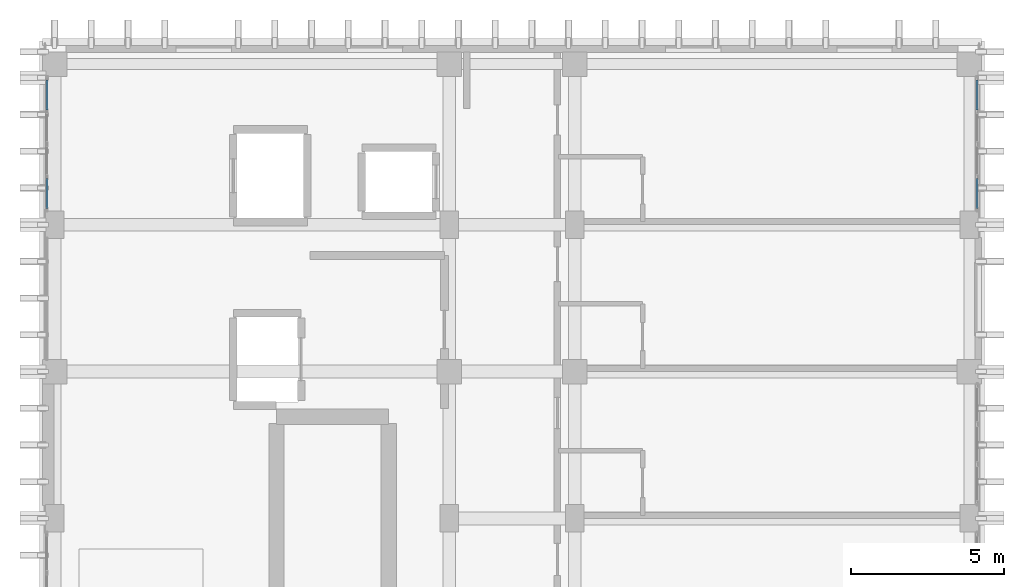
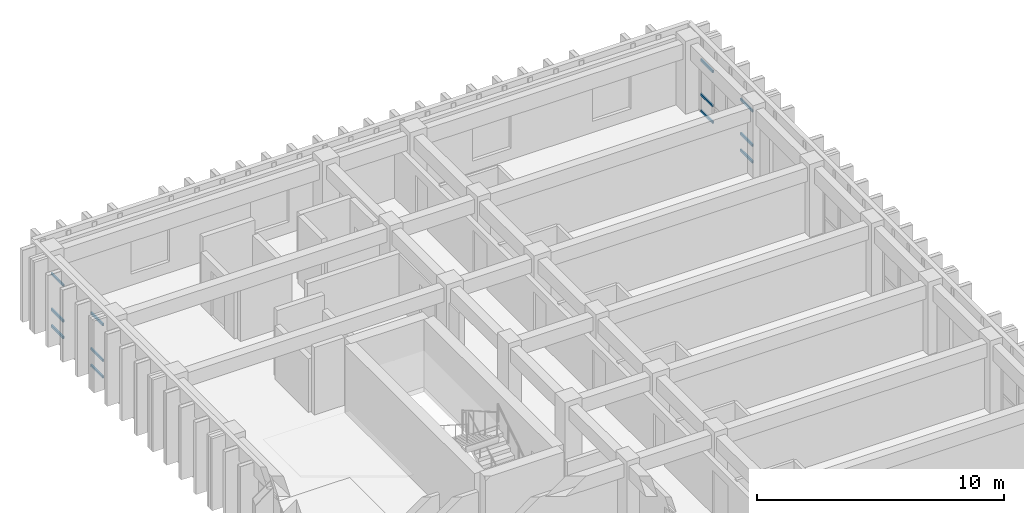
# One storey, part 57 of 82: 12 members, 2 elements without a shape of their own.
"""IFC4 building model written with IfcOpenShell, lengths in metres."""

from ifc_helpers import new_model, si_unit, direction, frame, origin, origin_2d, place, context, subcontext, project, spatial, hollow_rectangle, extrude, material, layer, layer_set, material_profile, profile_set, type_object, element, aggregate, save


model = new_model("IFC4")

# Units and contexts
model_context = context("Model", 3, precision=1e-05, world=origin(), true_north=direction((0.0, 1.0)))
body_context = subcontext(model_context, "Body", "Model", "MODEL_VIEW")
ifc_project = project(units=[si_unit("LENGTHUNIT", "METRE"), si_unit("AREAUNIT", "SQUARE_METRE"), si_unit("VOLUMEUNIT", "CUBIC_METRE"), si_unit("PLANEANGLEUNIT", "RADIAN"), si_unit("MASSUNIT", "GRAM", prefix="KILO")], contexts=[model_context])

# Site, building, storey
site_placement = place(None, origin())
site = spatial("IfcSite", under=ifc_project, at=site_placement, CompositionType="ELEMENT")
building_placement = place(site_placement, origin())
building = spatial("IfcBuilding", under=site, at=building_placement, Name="Nakhvara Creek Congress Hotel", CompositionType="ELEMENT")
storey_placement = place(building_placement, frame((0.0, 0.0, 21.0)))
storey = spatial("IfcBuildingStorey", under=building, at=storey_placement, Name="L04", CompositionType="ELEMENT", Elevation=21.0)

# Curtain wall, members
ifc_material_1 = material(Name="Bronze-anodised aluminium AW-6063-T6 and double-silver low-E glass", Category="aluminium")
ifc_layer = layer(ifc_material_1, 0.199951171875)
ifc_layer_set = layer_set([ifc_layer], Name="Bronze-anodised aluminium AW-6063-T6 and double-silver low-E glass")
curtain_wall_type = type_object("IfcCurtainWallType", Name="CW-HTL-UNIT", PredefinedType="USERDEFINED", material=ifc_layer_set)
curtain_wall_1_placement = place(storey_placement, origin())
curtain_wall_1 = element("IfcCurtainWall", 1, at=curtain_wall_1_placement, inside=storey, type_object=curtain_wall_type, Name="Curtain Wall CW200", ObjectType="UNITISED", PredefinedType="USERDEFINED")
ifc_material_2 = material(Name="Bronze-anodised aluminium AW-6063-T6", Category="aluminium")
ifc_material_profile = material_profile(ifc_material_2, hollow_rectangle(XDim=0.06494140625, YDim=0.1201171875, WallThickness=0.00390625, at=origin_2d()), Name="ALU-TRAN 65x120x4", Category="LoadBearing")
ifc_profile_set = profile_set([ifc_material_profile], Name="Bronze-anodised aluminium AW-6063-T6")
member_type = type_object("IfcMemberType", Name="CW-TRAN-120", PredefinedType="USERDEFINED", material=ifc_profile_set)
member_1_placement = place(storey_placement, frame((179.60009765625, 124.735107421875, 0.032470703125), z_axis=(0.0, -1.0, 0.0), x_axis=(1.0, 0.0, 0.0)))
member_1 = element("IfcMember", 2, at=member_1_placement, type_object=member_type, Name="CW200 transom 1.1", ObjectType="TRANSOM", PredefinedType="USERDEFINED", context=body_context, shape_type="SweptSolid", body=[
    extrude(hollow_rectangle(XDim=0.06494140625, YDim=0.1201171875, WallThickness=0.00390625, at=origin_2d()), origin(), (0.0, 0.0, 1.0), 0.986328125),
])
member_2_placement = place(storey_placement, frame((179.60009765625, 124.735107421875, 0.85009765625), z_axis=(0.0, -1.0, 0.0), x_axis=(1.0, 0.0, 0.0)))
member_2 = element("IfcMember", 3, at=member_2_placement, type_object=member_type, Name="CW200 transom 1.2", ObjectType="TRANSOM", PredefinedType="USERDEFINED", context=body_context, shape_type="SweptSolid", body=[
    extrude(hollow_rectangle(XDim=0.06494140625, YDim=0.1201171875, WallThickness=0.00390625, at=origin_2d()), origin(), (0.0, 0.0, 1.0), 0.986328125),
])
member_3_placement = place(storey_placement, frame((179.60009765625, 124.735107421875, 2.549560546875), z_axis=(0.0, -1.0, 0.0), x_axis=(1.0, 0.0, 0.0)))
member_3 = element("IfcMember", 4, at=member_3_placement, type_object=member_type, Name="CW200 transom 1.3", ObjectType="TRANSOM", PredefinedType="USERDEFINED", context=body_context, shape_type="SweptSolid", body=[
    extrude(hollow_rectangle(XDim=0.06494140625, YDim=0.1201171875, WallThickness=0.00390625, at=origin_2d()), origin(), (0.0, 0.0, 1.0), 0.986328125),
])
member_4_placement = place(storey_placement, frame((179.60009765625, 121.516357421875, 0.032470703125), z_axis=(0.0, -1.0, 0.0), x_axis=(1.0, 0.0, 0.0)))
member_4 = element("IfcMember", 5, at=member_4_placement, type_object=member_type, Name="CW200 transom 4.1", ObjectType="TRANSOM", PredefinedType="USERDEFINED", context=body_context, shape_type="SweptSolid", body=[
    extrude(hollow_rectangle(XDim=0.06494140625, YDim=0.1201171875, WallThickness=0.00390625, at=origin_2d()), origin(), (0.0, 0.0, 1.0), 0.986328125),
])
member_5_placement = place(storey_placement, frame((179.60009765625, 121.516357421875, 0.85009765625), z_axis=(0.0, -1.0, 0.0), x_axis=(1.0, 0.0, 0.0)))
member_5 = element("IfcMember", 6, at=member_5_placement, type_object=member_type, Name="CW200 transom 4.2", ObjectType="TRANSOM", PredefinedType="USERDEFINED", context=body_context, shape_type="SweptSolid", body=[
    extrude(hollow_rectangle(XDim=0.06494140625, YDim=0.1201171875, WallThickness=0.00390625, at=origin_2d()), origin(), (0.0, 0.0, 1.0), 0.986328125),
])
member_6_placement = place(storey_placement, frame((179.60009765625, 121.516357421875, 2.549560546875), z_axis=(0.0, -1.0, 0.0), x_axis=(1.0, 0.0, 0.0)))
member_6 = element("IfcMember", 7, at=member_6_placement, type_object=member_type, Name="CW200 transom 4.3", ObjectType="TRANSOM", PredefinedType="USERDEFINED", context=body_context, shape_type="SweptSolid", body=[
    extrude(hollow_rectangle(XDim=0.06494140625, YDim=0.1201171875, WallThickness=0.00390625, at=origin_2d()), origin(), (0.0, 0.0, 1.0), 0.986328125),
])
aggregate(curtain_wall_1, [member_1, member_2, member_3, member_4, member_5, member_6])

curtain_wall_2_placement = place(storey_placement, origin())
curtain_wall_2 = element("IfcCurtainWall", 8, at=curtain_wall_2_placement, inside=storey, type_object=curtain_wall_type, Name="Curtain Wall CW201", ObjectType="UNITISED", PredefinedType="USERDEFINED")
member_7_placement = place(storey_placement, frame((149.199951171875, 120.530029296875, 0.032470703125), z_axis=(0.0, 1.0, 0.0), x_axis=(-1.0, 0.0, 0.0)))
member_7 = element("IfcMember", 9, at=member_7_placement, type_object=member_type, Name="CW201 transom 1.1", ObjectType="TRANSOM", PredefinedType="USERDEFINED", context=body_context, shape_type="SweptSolid", body=[
    extrude(hollow_rectangle(XDim=0.06494140625, YDim=0.1201171875, WallThickness=0.00390625, at=origin_2d()), origin(), (0.0, 0.0, 1.0), 0.986328125),
])
member_8_placement = place(storey_placement, frame((149.199951171875, 120.530029296875, 0.85009765625), z_axis=(0.0, 1.0, 0.0), x_axis=(-1.0, 0.0, 0.0)))
member_8 = element("IfcMember", 10, at=member_8_placement, type_object=member_type, Name="CW201 transom 1.2", ObjectType="TRANSOM", PredefinedType="USERDEFINED", context=body_context, shape_type="SweptSolid", body=[
    extrude(hollow_rectangle(XDim=0.06494140625, YDim=0.1201171875, WallThickness=0.00390625, at=origin_2d()), origin(), (0.0, 0.0, 1.0), 0.986328125),
])
member_9_placement = place(storey_placement, frame((149.199951171875, 120.530029296875, 2.619384765625), z_axis=(0.0, 1.0, 0.0), x_axis=(-1.0, 0.0, 0.0)))
member_9 = element("IfcMember", 11, at=member_9_placement, type_object=member_type, Name="CW201 transom 1.3", ObjectType="TRANSOM", PredefinedType="USERDEFINED", context=body_context, shape_type="SweptSolid", body=[
    extrude(hollow_rectangle(XDim=0.06494140625, YDim=0.1201171875, WallThickness=0.00390625, at=origin_2d()), origin(), (0.0, 0.0, 1.0), 0.986328125),
])
member_10_placement = place(storey_placement, frame((149.199951171875, 123.748779296875, 0.032470703125), z_axis=(0.0, 1.0, 0.0), x_axis=(-1.0, 0.0, 0.0)))
member_10 = element("IfcMember", 12, at=member_10_placement, type_object=member_type, Name="CW201 transom 4.1", ObjectType="TRANSOM", PredefinedType="USERDEFINED", context=body_context, shape_type="SweptSolid", body=[
    extrude(hollow_rectangle(XDim=0.06494140625, YDim=0.1201171875, WallThickness=0.00390625, at=origin_2d()), origin(), (0.0, 0.0, 1.0), 0.986328125),
])
member_11_placement = place(storey_placement, frame((149.199951171875, 123.748779296875, 0.85009765625), z_axis=(0.0, 1.0, 0.0), x_axis=(-1.0, 0.0, 0.0)))
member_11 = element("IfcMember", 13, at=member_11_placement, type_object=member_type, Name="CW201 transom 4.2", ObjectType="TRANSOM", PredefinedType="USERDEFINED", context=body_context, shape_type="SweptSolid", body=[
    extrude(hollow_rectangle(XDim=0.06494140625, YDim=0.1201171875, WallThickness=0.00390625, at=origin_2d()), origin(), (0.0, 0.0, 1.0), 0.986328125),
])
member_12_placement = place(storey_placement, frame((149.199951171875, 123.748779296875, 2.619384765625), z_axis=(0.0, 1.0, 0.0), x_axis=(-1.0, 0.0, 0.0)))
member_12 = element("IfcMember", 14, at=member_12_placement, type_object=member_type, Name="CW201 transom 4.3", ObjectType="TRANSOM", PredefinedType="USERDEFINED", context=body_context, shape_type="SweptSolid", body=[
    extrude(hollow_rectangle(XDim=0.06494140625, YDim=0.1201171875, WallThickness=0.00390625, at=origin_2d()), origin(), (0.0, 0.0, 1.0), 0.986328125),
])
aggregate(curtain_wall_2, [member_7, member_8, member_9, member_10, member_11, member_12])

save(model, "model.ifc")
